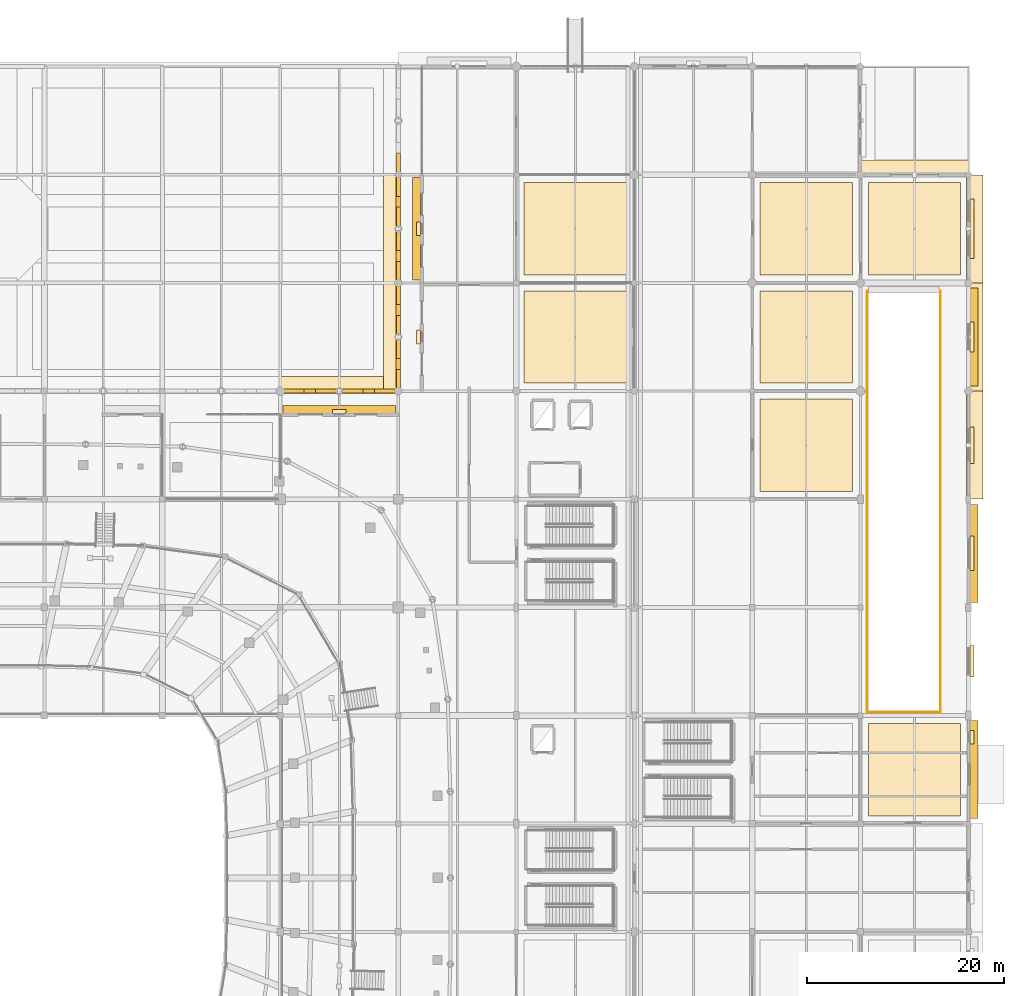
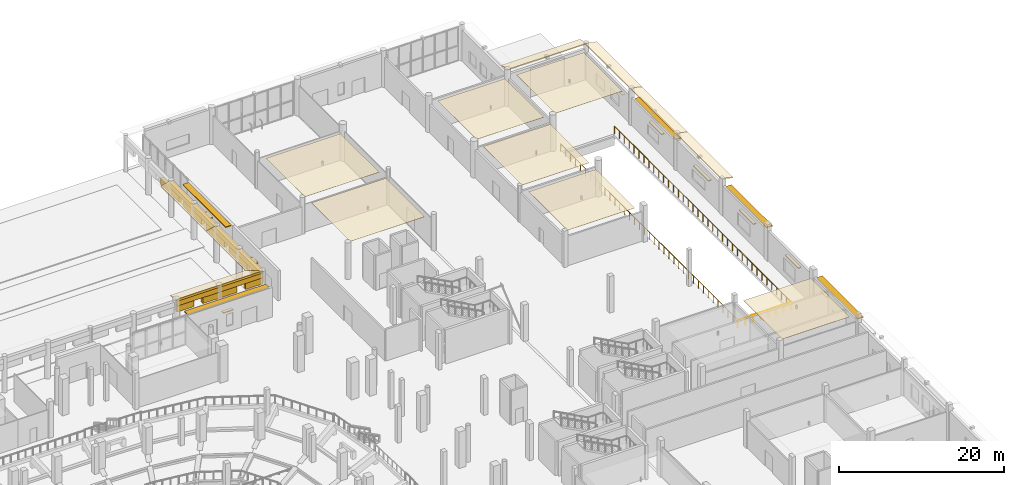
# One storey, part 119 of 120: 42 coverings, 5 shading devices, 3 railings.
"""IFC4 building model written with IfcOpenShell, lengths in metres."""

import ifcopenshell
import ifcopenshell.guid

model = None  # the IFC model being written
_history = None  # IfcOwnerHistory: only IFC2X3 demands one
_inside = {}  # id of a spatial element -> (the spatial element, [elements in it])
_under = {}  # id of a project, library or spatial element -> (it, [spatial elements below it])
_declared = {}  # id of a project -> (the project, [libraries it declares])
_typed = {}  # id of a type object -> (the type object, [elements of that type])
_made_of = {}  # id of a material, layer set ... -> (it, [elements and type objects made of it])


def new_model(schema):
    """Start an empty IFC model of exactly this schema.

    Asked for "IFC4X3", IfcOpenShell would pick the latest addendum, in which some entities
    have other attributes; the version numbers below select the first issue.
    IFC2X3 requires an IfcOwnerHistory on every rooted entity: one is made here for all.
    """
    global model, _history
    if schema == "IFC4X3":
        model = ifcopenshell.file(schema_version=(4, 3, 0, 0))
    else:
        model = ifcopenshell.file(schema=schema)
    _inside.clear()
    _under.clear()
    _declared.clear()
    _typed.clear()
    _made_of.clear()
    _history = None
    if model.schema == "IFC2X3":
        org = make("IfcOrganization", Name="unknown")
        user = make(
            "IfcPersonAndOrganization",
            ThePerson=make("IfcPerson", FamilyName="unknown"),
            TheOrganization=org,
        )
        app = make(
            "IfcApplication",
            ApplicationDeveloper=org,
            Version="unknown",
            ApplicationFullName="unknown",
            ApplicationIdentifier="unknown",
        )
        _history = make(
            "IfcOwnerHistory",
            OwningUser=user,
            OwningApplication=app,
            ChangeAction="ADDED",
            CreationDate=0,
        )
    return model


def make(cls, **values):
    """One entity of the class cls with the attributes given. An attribute that is None is left unset."""
    return model.create_entity(
        cls, **{name: value for name, value in values.items() if value is not None}
    )


def rooted(cls, **values):
    """An entity with a GlobalId (a new one), such as an element, a storey or a relation."""
    return make(cls, GlobalId=ifcopenshell.guid.new(), OwnerHistory=_history, **values)


def si_unit(unit_type, name, prefix=None):
    """IfcSIUnit, for example si_unit("LENGTHUNIT", "METRE", prefix="MILLI")."""
    return make("IfcSIUnit", UnitType=unit_type, Prefix=prefix, Name=name)


def assignment(units):
    """IfcUnitAssignment: the units of a project."""
    return None if units is None else make("IfcUnitAssignment", Units=units)


def point(xyz):
    """IfcCartesianPoint."""
    return None if xyz is None else make("IfcCartesianPoint", Coordinates=xyz)


def direction(xyz):
    """IfcDirection."""
    return None if xyz is None else make("IfcDirection", DirectionRatios=xyz)


def frame(location, z_axis=None, x_axis=None):
    """IfcAxis2Placement3D, a coordinate frame: its origin and axes. An axis left out is left unset."""
    return make(
        "IfcAxis2Placement3D",
        Location=point(location),
        Axis=direction(z_axis),
        RefDirection=direction(x_axis),
    )


def frame_2d(location, x_axis=None):
    """IfcAxis2Placement2D, a coordinate frame in the plane: its origin and x axis."""
    return make(
        "IfcAxis2Placement2D", Location=point(location), RefDirection=direction(x_axis)
    )


def origin():
    """The frame at (0, 0, 0) with its axes left unset."""
    return frame((0.0, 0.0, 0.0))


def origin_2d():
    """The frame at (0, 0) in the plane with its x axis left unset."""
    return frame_2d((0.0, 0.0))


def place(relative_to, where):
    """IfcLocalPlacement: puts the frame where relative to a parent placement (None: the world)."""
    return make(
        "IfcLocalPlacement", PlacementRelTo=relative_to, RelativePlacement=where
    )


def context(
    kind, dimensions, precision=None, world=None, true_north=None, identifier=None
):
    """IfcGeometricRepresentationContext, for example the 3D "Model" context."""
    return make(
        "IfcGeometricRepresentationContext",
        ContextIdentifier=identifier,
        ContextType=kind,
        CoordinateSpaceDimension=dimensions,
        Precision=precision,
        WorldCoordinateSystem=world,
        TrueNorth=true_north,
    )


def subcontext(parent, identifier, kind, view, scale=None):
    """IfcGeometricRepresentationSubContext, for example "Body" below "Model"."""
    return make(
        "IfcGeometricRepresentationSubContext",
        ContextIdentifier=identifier,
        ContextType=kind,
        ParentContext=parent,
        TargetScale=scale,
        TargetView=view,
    )


def project(units=None, contexts=None):
    """IfcProject with its units and contexts."""
    return rooted(
        "IfcProject",
        Name="project",
        RepresentationContexts=contexts,
        UnitsInContext=assignment(units),
    )


def spatial(cls, under=None, at=None, **own):
    """A site, building, storey or space (cls), placed at a placement, below another one or the project."""
    s = rooted(cls, ObjectPlacement=at, **own)
    if under is not None:
        _under.setdefault(under.id(), (under, []))[1].append(s)
    return s


def polyline(points):
    """IfcPolyline through the points."""
    return make("IfcPolyline", Points=[point(p) for p in points])


def profile(cls, at=None, kind="AREA", **sizes):
    """A parametric profile (cls). Its sizes go by their IFC names, for example OverallWidth=200.0."""
    return make(cls, ProfileType=kind, Position=at, **sizes)


def rectangle(**sizes):
    """IfcRectangleProfileDef."""
    return profile("IfcRectangleProfileDef", **sizes)


def circle(**sizes):
    """IfcCircleProfileDef."""
    return profile("IfcCircleProfileDef", **sizes)


def outline(outer, holes=None, kind="AREA"):
    """IfcArbitraryClosedProfileDef: a profile drawn as a closed curve; with holes, ...WithVoids."""
    if holes is None:
        return make("IfcArbitraryClosedProfileDef", ProfileType=kind, OuterCurve=outer)
    return make(
        "IfcArbitraryProfileDefWithVoids",
        ProfileType=kind,
        OuterCurve=outer,
        InnerCurves=holes,
    )


def extrude(swept, where, along, depth):
    """IfcExtrudedAreaSolid: the profile swept, set in the frame where, extruded along a direction by depth."""
    return make(
        "IfcExtrudedAreaSolid",
        SweptArea=swept,
        Position=where,
        ExtrudedDirection=direction(along),
        Depth=depth,
    )


def shape(context_of_items, identifier, shape_type, items):
    """IfcShapeRepresentation: the items that make up one representation, for example the "Body"."""
    return make(
        "IfcShapeRepresentation",
        ContextOfItems=context_of_items,
        RepresentationIdentifier=identifier,
        RepresentationType=shape_type,
        Items=items,
    )


def material(Name=None, Category=None):
    """IfcMaterial."""
    return make("IfcMaterial", Name=Name, Category=Category)


def layer(
    of_material, thickness, ventilated=None, Name=None, Category=None, Priority=None
):
    """IfcMaterialLayer: one layer of a wall or slab, of a material (None: an air gap)."""
    return make(
        "IfcMaterialLayer",
        Material=of_material,
        LayerThickness=thickness,
        IsVentilated=ventilated,
        Name=Name,
        Category=Category,
        Priority=Priority,
    )


def layer_set(layers, Name=None):
    """IfcMaterialLayerSet."""
    return make("IfcMaterialLayerSet", MaterialLayers=layers, LayerSetName=Name)


def made_of(thing, what):
    """Note that an element or type object is made of a material, layer set ...; save() writes the relation."""
    if what is not None:
        _made_of.setdefault(what.id(), (what, []))[1].append(thing)
    return thing


def type_object(cls, material=None, **own):
    """A type object (cls), such as IfcWallType, which elements share."""
    return made_of(rooted(cls, **own), material)


def element(
    cls,
    number,
    at=None,
    inside=None,
    cuts=None,
    type_object=None,
    material=None,
    context=None,
    identifier="Body",
    shape_type=None,
    held_by="IfcProductDefinitionShape",
    body=None,
    shapes=None,
    **own,
):
    """One element of the class cls, such as IfcWall. Its Tag is "e" and its number.

    at: its placement. inside: the storey or other place that contains it. cuts: it is an
    opening in that element (IfcRelVoidsElement). A single representation is given by context,
    identifier, shape_type and body (its items); several are given by shapes. held_by: the class
    of the entity that holds the representations. save() writes the other relations.
    """
    e = rooted(cls, Tag="e%d" % number, ObjectPlacement=at, **own)
    if body is not None:
        shapes = [shape(context, identifier, shape_type, body)]
    if shapes is not None:
        e.Representation = make(held_by, Representations=shapes)
    if inside is not None:
        _inside.setdefault(inside.id(), (inside, []))[1].append(e)
    if cuts is not None:
        rooted(
            "IfcRelVoidsElement", RelatingBuildingElement=cuts, RelatedOpeningElement=e
        )
    if type_object is not None:
        _typed.setdefault(type_object.id(), (type_object, []))[1].append(e)
    return made_of(e, material)


def aggregate(whole, parts):
    """IfcRelAggregates: a whole, such as a stair, and the parts it consists of."""
    return rooted("IfcRelAggregates", RelatingObject=whole, RelatedObjects=parts)


def save(model, path):
    """Write the relations noted so far, then the file.

    IfcRelAggregates (storeys below a building ...), IfcRelContainedInSpatialStructure (elements
    in a storey), IfcRelDefinesByType, IfcRelAssociatesMaterial and IfcRelDeclares: one each for
    every whole, place, type object, material and project.
    """
    for whole, parts in _under.values():
        aggregate(whole, parts)
    for where, things in _inside.values():
        rooted(
            "IfcRelContainedInSpatialStructure",
            RelatedElements=things,
            RelatingStructure=where,
        )
    for kind, things in _typed.values():
        rooted("IfcRelDefinesByType", RelatedObjects=things, RelatingType=kind)
    for what, things in _made_of.values():
        rooted("IfcRelAssociatesMaterial", RelatedObjects=things, RelatingMaterial=what)
    for by, libraries in _declared.values():
        rooted("IfcRelDeclares", RelatingContext=by, RelatedDefinitions=libraries)
    model.write(path)


model = new_model("IFC4")

# Units and contexts
model_context = context("Model", 3, precision=1e-05, world=origin(), true_north=direction((0.0, 1.0)))
body_context = subcontext(model_context, "Body", "Model", "MODEL_VIEW")
ifc_project = project(units=[si_unit("LENGTHUNIT", "METRE"), si_unit("AREAUNIT", "SQUARE_METRE"), si_unit("VOLUMEUNIT", "CUBIC_METRE"), si_unit("PLANEANGLEUNIT", "RADIAN"), si_unit("MASSUNIT", "GRAM", prefix="KILO")], contexts=[model_context])

# Site, building, storey
site_placement = place(None, origin())
site = spatial("IfcSite", under=ifc_project, at=site_placement, CompositionType="ELEMENT")
building_placement = place(site_placement, origin())
building = spatial("IfcBuilding", under=site, at=building_placement, Name="Luwafu Chhajja Arena", CompositionType="ELEMENT")
storey_placement = place(building_placement, origin())
storey = spatial("IfcBuildingStorey", under=building, at=storey_placement, Name="L00", CompositionType="ELEMENT", Elevation=0.0)

# Coverings
ifc_material_1 = material(Name="Red laterite sandstone cladding", Category="masonry")
ifc_layer_1 = layer(ifc_material_1, 0.074951171875, Name="Red laterite sandstone cladding")
ifc_layer_set_1 = layer_set([ifc_layer_1], Name="Red laterite sandstone cladding")
covering_type_1 = type_object("IfcCoveringType", Name="Dressed Red-Laterite Sandstone Cladding", PredefinedType="CLADDING", material=ifc_layer_set_1)
covering_1_placement = place(storey_placement, frame((131.0, 99.0, 4.33984375), z_axis=(0.0, 0.0, 1.0), x_axis=(1.0, 0.0, 0.0)))
element("IfcCovering", 1, at=covering_1_placement, inside=storey, type_object=covering_type_1, Name="L00 Mughal Riwaq Arcade Arch Frieze CHS-27", PredefinedType="CLADDING", context=body_context, shape_type="SweptSolid", body=[
    extrude(rectangle(XDim=6.0, YDim=0.43994140625, at=origin_2d()), origin(), (0.0, 0.0, 1.0), 0.719970703125),
])
for number, where, z_axis, x_axis, name in (
    (2, (129.199951171875, 99.0, 3.43994140625), (0.0, 0.0, 1.0), (1.0, 0.0, 0.0), "L00 Mughal Riwaq Corbelled Arch Haunch CHS-27A"),
    (3, (132.800048828125, 99.0, 3.43994140625), (0.0, 0.0, 1.0), (1.0, 0.0, 0.0), "L00 Mughal Riwaq Corbelled Arch Haunch CHS-27B"),
):
    element("IfcCovering", number, at=place(storey_placement, frame(where, z_axis=z_axis, x_axis=x_axis)), inside=storey, type_object=covering_type_1, Name=name, PredefinedType="CLADDING", context=body_context, shape_type="SweptSolid", body=[
        extrude(rectangle(XDim=2.39990234375, YDim=0.39990234375, at=origin_2d()), origin(), (0.0, 0.0, 1.0), 0.9599609375),
    ])
covering_2_placement = place(storey_placement, frame((137.0, 99.0, 4.33984375), z_axis=(0.0, 0.0, 1.0), x_axis=(1.0, 0.0, 0.0)))
element("IfcCovering", 4, at=covering_2_placement, inside=storey, type_object=covering_type_1, Name="L00 Mughal Riwaq Arcade Arch Frieze CHS-28", PredefinedType="CLADDING", context=body_context, shape_type="SweptSolid", body=[
    extrude(rectangle(XDim=6.0, YDim=0.43994140625, at=origin_2d()), origin(), (0.0, 0.0, 1.0), 0.719970703125),
])
for number, where, z_axis, x_axis, name in (
    (5, (135.199951171875, 99.0, 3.43994140625), (0.0, 0.0, 1.0), (1.0, 0.0, 0.0), "L00 Mughal Riwaq Corbelled Arch Haunch CHS-28A"),
    (6, (138.800048828125, 99.0, 3.43994140625), (0.0, 0.0, 1.0), (1.0, 0.0, 0.0), "L00 Mughal Riwaq Corbelled Arch Haunch CHS-28B"),
):
    element("IfcCovering", number, at=place(storey_placement, frame(where, z_axis=z_axis, x_axis=x_axis)), inside=storey, type_object=covering_type_1, Name=name, PredefinedType="CLADDING", context=body_context, shape_type="SweptSolid", body=[
        extrude(rectangle(XDim=2.39990234375, YDim=0.39990234375, at=origin_2d()), origin(), (0.0, 0.0, 1.0), 0.9599609375),
    ])
covering_3_placement = place(storey_placement, frame((140.0, 101.75, 4.33984375), z_axis=(0.0, 0.0, 1.0), x_axis=(0.0, 1.0, 0.0)))
element("IfcCovering", 7, at=covering_3_placement, inside=storey, type_object=covering_type_1, Name="L00 Mughal Riwaq Arcade Arch Frieze CHE-31", PredefinedType="CLADDING", context=body_context, shape_type="SweptSolid", body=[
    extrude(rectangle(XDim=5.5, YDim=0.43994140625, at=origin_2d()), origin(), (0.0, 0.0, 1.0), 0.719970703125),
])
for number, where, z_axis, x_axis, name in (
    (8, (140.0, 100.10009765625, 3.43994140625), (0.0, 0.0, 1.0), (0.0, 1.0, 0.0), "L00 Mughal Riwaq Corbelled Arch Haunch CHE-31A"),
    (9, (140.0, 103.39990234375, 3.43994140625), (0.0, 0.0, 1.0), (0.0, 1.0, 0.0), "L00 Mughal Riwaq Corbelled Arch Haunch CHE-31B"),
):
    element("IfcCovering", number, at=place(storey_placement, frame(where, z_axis=z_axis, x_axis=x_axis)), inside=storey, type_object=covering_type_1, Name=name, PredefinedType="CLADDING", context=body_context, shape_type="SweptSolid", body=[
        extrude(rectangle(XDim=2.199951171875, YDim=0.39990234375, at=origin_2d()), origin(), (0.0, 0.0, 1.0), 0.9599609375),
    ])
covering_4_placement = place(storey_placement, frame((140.0, 107.25, 4.33984375), z_axis=(0.0, 0.0, 1.0), x_axis=(0.0, 1.0, 0.0)))
element("IfcCovering", 10, at=covering_4_placement, inside=storey, type_object=covering_type_1, Name="L00 Mughal Riwaq Arcade Arch Frieze CHE-32", PredefinedType="CLADDING", context=body_context, shape_type="SweptSolid", body=[
    extrude(rectangle(XDim=5.5, YDim=0.43994140625, at=origin_2d()), origin(), (0.0, 0.0, 1.0), 0.719970703125),
])
for number, where, z_axis, x_axis, name in (
    (11, (140.0, 105.60009765625, 3.43994140625), (0.0, 0.0, 1.0), (0.0, 1.0, 0.0), "L00 Mughal Riwaq Corbelled Arch Haunch CHE-32A"),
    (12, (140.0, 108.89990234375, 3.43994140625), (0.0, 0.0, 1.0), (0.0, 1.0, 0.0), "L00 Mughal Riwaq Corbelled Arch Haunch CHE-32B"),
):
    element("IfcCovering", number, at=place(storey_placement, frame(where, z_axis=z_axis, x_axis=x_axis)), inside=storey, type_object=covering_type_1, Name=name, PredefinedType="CLADDING", context=body_context, shape_type="SweptSolid", body=[
        extrude(rectangle(XDim=2.199951171875, YDim=0.39990234375, at=origin_2d()), origin(), (0.0, 0.0, 1.0), 0.9599609375),
    ])
covering_5_placement = place(storey_placement, frame((140.0, 112.75, 4.33984375), z_axis=(0.0, 0.0, 1.0), x_axis=(0.0, 1.0, 0.0)))
element("IfcCovering", 13, at=covering_5_placement, inside=storey, type_object=covering_type_1, Name="L00 Mughal Riwaq Arcade Arch Frieze CHE-35", PredefinedType="CLADDING", context=body_context, shape_type="SweptSolid", body=[
    extrude(rectangle(XDim=5.5, YDim=0.43994140625, at=origin_2d()), origin(), (0.0, 0.0, 1.0), 0.719970703125),
])
for number, where, z_axis, x_axis, name in (
    (14, (140.0, 111.10009765625, 3.43994140625), (0.0, 0.0, 1.0), (0.0, 1.0, 0.0), "L00 Mughal Riwaq Corbelled Arch Haunch CHE-35A"),
    (15, (140.0, 114.39990234375, 3.43994140625), (0.0, 0.0, 1.0), (0.0, 1.0, 0.0), "L00 Mughal Riwaq Corbelled Arch Haunch CHE-35B"),
):
    element("IfcCovering", number, at=place(storey_placement, frame(where, z_axis=z_axis, x_axis=x_axis)), inside=storey, type_object=covering_type_1, Name=name, PredefinedType="CLADDING", context=body_context, shape_type="SweptSolid", body=[
        extrude(rectangle(XDim=2.199951171875, YDim=0.39990234375, at=origin_2d()), origin(), (0.0, 0.0, 1.0), 0.9599609375),
    ])
covering_6_placement = place(storey_placement, frame((140.0, 118.25, 4.33984375), z_axis=(0.0, 0.0, 1.0), x_axis=(0.0, 1.0, 0.0)))
element("IfcCovering", 16, at=covering_6_placement, inside=storey, type_object=covering_type_1, Name="L00 Mughal Riwaq Arcade Arch Frieze CHE-36", PredefinedType="CLADDING", context=body_context, shape_type="SweptSolid", body=[
    extrude(rectangle(XDim=5.5, YDim=0.43994140625, at=origin_2d()), origin(), (0.0, 0.0, 1.0), 0.719970703125),
])
for number, where, z_axis, x_axis, name in (
    (17, (140.0, 116.60009765625, 3.43994140625), (0.0, 0.0, 1.0), (0.0, 1.0, 0.0), "L00 Mughal Riwaq Corbelled Arch Haunch CHE-36A"),
    (18, (140.0, 119.89990234375, 3.43994140625), (0.0, 0.0, 1.0), (0.0, 1.0, 0.0), "L00 Mughal Riwaq Corbelled Arch Haunch CHE-36B"),
    (19, (140.0, 122.10009765625, 3.43994140625), (0.0, 0.0, 1.0), (0.0, 1.0, 0.0), "L00 Mughal Riwaq Corbelled Arch Haunch CHE-39A"),
):
    element("IfcCovering", number, at=place(storey_placement, frame(where, z_axis=z_axis, x_axis=x_axis)), inside=storey, type_object=covering_type_1, Name=name, PredefinedType="CLADDING", context=body_context, shape_type="SweptSolid", body=[
        extrude(rectangle(XDim=2.199951171875, YDim=0.39990234375, at=origin_2d()), origin(), (0.0, 0.0, 1.0), 0.9599609375),
    ])
covering_7_placement = place(storey_placement, frame((128.0, 98.800048828125, 5.360107421875), z_axis=(0.0, 0.242635142566, 0.970117615339), x_axis=(1.0, 0.0, 0.0)))
element("IfcCovering", 20, at=covering_7_placement, inside=storey, type_object=covering_type_1, Name="L00 Continuous Sloped Sandstone Chhajja Eave 0033", PredefinedType="CLADDING", context=body_context, shape_type="SweptSolid", body=[
    extrude(outline(polyline([(0.0, 0.0), (12.0, 0.0), (12.0, 1.7316783182390405), (0.0, 1.7316783182390405), (0.0, 0.0)])), origin(), (0.0, 0.0, -1.0), 0.1298828125),
])
for number, where, z_axis, x_axis, name in (
    (21, (140.199951171875, 99.0, 5.360107421875), (-0.242635142566, 0.0, 0.970117615339), (0.0, 1.0, 0.0), "L00 Continuous Sloped Sandstone Chhajja Eave 0036"),
    (22, (140.199951171875, 110.0, 5.360107421875), (-0.242635142566, 0.0, 0.970117615339), (0.0, 1.0, 0.0), "L00 Continuous Sloped Sandstone Chhajja Eave 0037"),
):
    element("IfcCovering", number, at=place(storey_placement, frame(where, z_axis=z_axis, x_axis=x_axis)), inside=storey, type_object=covering_type_1, Name=name, PredefinedType="CLADDING", context=body_context, shape_type="SweptSolid", body=[
        extrude(outline(polyline([(0.0, 0.0), (11.0, 0.0), (11.0, 1.7316783182390405), (0.0, 1.7316783182390405), (0.0, 0.0)])), origin(), (0.0, 0.0, -1.0), 0.1298828125),
    ])
for number, where, z_axis, x_axis, name in (
    (23, (197.800048828125, 88.0, 5.360107421875), (0.242635142566, 0.0, 0.970117615339), (0.0, 1.0, 0.0), "L00 Continuous Sloped Sandstone Chhajja Eave 0053"),
    (24, (197.800048828125, 99.0, 5.360107421875), (0.242635142566, 0.0, 0.970117615339), (0.0, 1.0, 0.0), "L00 Continuous Sloped Sandstone Chhajja Eave 0054"),
):
    element("IfcCovering", number, at=place(storey_placement, frame(where, z_axis=z_axis, x_axis=x_axis)), inside=storey, type_object=covering_type_1, Name=name, PredefinedType="CLADDING", context=body_context, shape_type="SweptSolid", body=[
        extrude(outline(polyline([(0.0, 0.0), (11.0, 0.0), (11.0, -1.7316783182390405), (0.0, -1.7316783182390405), (0.0, 0.0)])), origin(), (0.0, 0.0, -1.0), 0.1298828125),
    ])
covering_8_placement = place(storey_placement, frame((187.0, 120.800048828125, 5.360107421875), z_axis=(0.0, 0.242635142566, 0.970117615339), x_axis=(1.0, 0.0, 0.0)))
element("IfcCovering", 25, at=covering_8_placement, inside=storey, type_object=covering_type_1, Name="L00 Continuous Sloped Sandstone Chhajja Eave 0055", PredefinedType="CLADDING", context=body_context, shape_type="SweptSolid", body=[
    extrude(outline(polyline([(0.0, 0.0), (11.0, 0.0), (11.0, 1.7316783182390405), (0.0, 1.7316783182390405), (0.0, 0.0)])), origin(), (0.0, 0.0, -1.0), 0.1298828125),
])
covering_9_placement = place(storey_placement, frame((197.800048828125, 110.0, 5.360107421875), z_axis=(0.242635142566, 0.0, 0.970117615339), x_axis=(0.0, 1.0, 0.0)))
element("IfcCovering", 26, at=covering_9_placement, inside=storey, type_object=covering_type_1, Name="L00 Continuous Sloped Sandstone Chhajja Eave 0056", PredefinedType="CLADDING", context=body_context, shape_type="SweptSolid", body=[
    extrude(outline(polyline([(0.0, 0.0), (11.0, 0.0), (11.0, -1.7316783182390405), (0.0, -1.7316783182390405), (0.0, 0.0)])), origin(), (0.0, 0.0, -1.0), 0.1298828125),
])
for number, where, z_axis, x_axis, name in (
    (27, (134.0, 96.93994140625, 2.6298828125), (0.0, 0.0, 1.0), (1.0, 0.0, 0.0), "L00 Mughal Sandstone Window Chhajja Hood 0162"),
    (28, (142.06005859375, 104.5, 2.6298828125), (0.0, 0.0, 1.0), (0.0, 1.0, 0.0), "L00 Mughal Sandstone Window Chhajja Hood 0164"),
    (29, (142.06005859375, 115.5, 2.6298828125), (0.0, 0.0, 1.0), (0.0, 1.0, 0.0), "L00 Mughal Sandstone Window Chhajja Hood 0165"),
    (30, (198.340087890625, 63.798095703125, 2.6298828125), (0.0, 0.0, 1.0), (0.0, 1.0, 0.0), "L00 Mughal Sandstone Window Chhajja Hood 0178"),
):
    element("IfcCovering", number, at=place(storey_placement, frame(where, z_axis=z_axis, x_axis=x_axis)), inside=storey, type_object=covering_type_1, Name=name, PredefinedType="CLADDING", context=body_context, shape_type="SweptSolid", body=[
        extrude(rectangle(XDim=1.39990234375, YDim=0.419921875, at=origin_2d()), origin(), (0.0, 0.0, 1.0), 0.139892578125),
    ])
covering_10_placement = place(storey_placement, frame((198.340087890625, 71.5, 2.830078125), z_axis=(0.0, 0.0, 1.0), x_axis=(0.0, 1.0, 0.0)))
element("IfcCovering", 31, at=covering_10_placement, inside=storey, type_object=covering_type_1, Name="L00 Mughal Sandstone Window Chhajja Hood 0179", PredefinedType="CLADDING", context=body_context, shape_type="SweptSolid", body=[
    extrude(rectangle(XDim=3.199951171875, YDim=0.419921875, at=origin_2d()), origin(), (0.0, 0.0, 1.0), 0.139892578125),
])
covering_11_placement = place(storey_placement, frame((198.340087890625, 82.5, 2.72998046875), z_axis=(0.0, 0.0, 1.0), x_axis=(0.0, 1.0, 0.0)))
element("IfcCovering", 32, at=covering_11_placement, inside=storey, type_object=covering_type_1, Name="L00 Mughal Sandstone Window Chhajja Hood 0180", PredefinedType="CLADDING", context=body_context, shape_type="SweptSolid", body=[
    extrude(rectangle(XDim=3.5, YDim=0.419921875, at=origin_2d()), origin(), (0.0, 0.0, 1.0), 0.139892578125),
])
covering_12_placement = place(storey_placement, frame((198.340087890625, 93.5, 2.5302734375), z_axis=(0.0, 0.0, 1.0), x_axis=(0.0, 1.0, 0.0)))
element("IfcCovering", 33, at=covering_12_placement, inside=storey, type_object=covering_type_1, Name="L00 Mughal Sandstone Window Chhajja Hood 0181", PredefinedType="CLADDING", context=body_context, shape_type="SweptSolid", body=[
    extrude(rectangle(XDim=3.699951171875, YDim=0.419921875, at=origin_2d()), origin(), (0.0, 0.0, 1.0), 0.139892578125),
])
covering_13_placement = place(storey_placement, frame((198.340087890625, 104.5, 2.5302734375), z_axis=(0.0, 0.0, 1.0), x_axis=(0.0, 1.0, 0.0)))
element("IfcCovering", 34, at=covering_13_placement, inside=storey, type_object=covering_type_1, Name="L00 Mughal Sandstone Window Chhajja Hood 0182", PredefinedType="CLADDING", context=body_context, shape_type="SweptSolid", body=[
    extrude(rectangle(XDim=3.10009765625, YDim=0.419921875, at=origin_2d()), origin(), (0.0, 0.0, 1.0), 0.139892578125),
])
covering_14_placement = place(storey_placement, frame((198.340087890625, 115.5, 2.580078125), z_axis=(0.0, 0.0, 1.0), x_axis=(0.0, 1.0, 0.0)))
element("IfcCovering", 35, at=covering_14_placement, inside=storey, type_object=covering_type_1, Name="L00 Mughal Sandstone Window Chhajja Hood 0183", PredefinedType="CLADDING", context=body_context, shape_type="SweptSolid", body=[
    extrude(rectangle(XDim=6.02001953125, YDim=0.419921875, at=origin_2d()), origin(), (0.0, 0.0, 1.0), 0.139892578125),
])
ifc_material_2 = material(Name="Acoustic gypsum ceiling board")
ifc_layer_2 = layer(ifc_material_2, 0.0400390625, Name="Acoustic gypsum ceiling board")
ifc_layer_set_2 = layer_set([ifc_layer_2], Name="Acoustic gypsum ceiling board")
covering_type_2 = type_object("IfcCoveringType", Name="Perforated Acoustic Baffle Ceiling", PredefinedType="CEILING", material=ifc_layer_set_2)
covering_15_placement = place(storey_placement, frame((0.0, 0.0, 4.581298828125)))
element("IfcCovering", 36, at=covering_15_placement, inside=storey, type_object=covering_type_2, Name="L00 Acoustic Baffle Ceiling 015", PredefinedType="CEILING", context=body_context, shape_type="SweptSolid", body=[
    extrude(outline(polyline([(152.800048828125, 99.800048828125), (163.199951171875, 99.800048828125), (163.199951171875, 109.199951171875), (152.800048828125, 109.199951171875), (152.800048828125, 99.800048828125)])), origin(), (0.0, 0.0, 1.0), 0.0400390625),
])
covering_16_placement = place(storey_placement, frame((0.0, 0.0, 4.499267578125)))
element("IfcCovering", 37, at=covering_16_placement, inside=storey, type_object=covering_type_2, Name="L00 Acoustic Baffle Ceiling 016", PredefinedType="CEILING", context=body_context, shape_type="SweptSolid", body=[
    extrude(outline(polyline([(152.800048828125, 110.800048828125), (163.199951171875, 110.800048828125), (163.199951171875, 120.199951171875), (152.800048828125, 120.199951171875), (152.800048828125, 110.800048828125)])), origin(), (0.0, 0.0, 1.0), 0.0400390625),
])
covering_17_placement = place(storey_placement, frame((0.0, 0.0, 4.499267578125)))
element("IfcCovering", 38, at=covering_17_placement, inside=storey, type_object=covering_type_2, Name="L00 Acoustic Baffle Ceiling 020", PredefinedType="CEILING", context=body_context, shape_type="SweptSolid", body=[
    extrude(outline(polyline([(176.800048828125, 88.800048828125), (186.199951171875, 88.800048828125), (186.199951171875, 98.199951171875), (176.800048828125, 98.199951171875), (176.800048828125, 88.800048828125)])), origin(), (0.0, 0.0, 1.0), 0.0400390625),
])
covering_18_placement = place(storey_placement, frame((0.0, 0.0, 4.5029296875)))
element("IfcCovering", 39, at=covering_18_placement, inside=storey, type_object=covering_type_2, Name="L00 Acoustic Baffle Ceiling 021", PredefinedType="CEILING", context=body_context, shape_type="SweptSolid", body=[
    extrude(outline(polyline([(176.800048828125, 99.800048828125), (186.199951171875, 99.800048828125), (186.199951171875, 109.199951171875), (176.800048828125, 109.199951171875), (176.800048828125, 99.800048828125)])), origin(), (0.0, 0.0, 1.0), 0.0400390625),
])
covering_19_placement = place(storey_placement, frame((0.0, 0.0, 4.575927734375)))
element("IfcCovering", 40, at=covering_19_placement, inside=storey, type_object=covering_type_2, Name="L00 Acoustic Baffle Ceiling 022", PredefinedType="CEILING", context=body_context, shape_type="SweptSolid", body=[
    extrude(outline(polyline([(176.800048828125, 110.800048828125), (186.199951171875, 110.800048828125), (186.199951171875, 120.199951171875), (176.800048828125, 120.199951171875), (176.800048828125, 110.800048828125)])), origin(), (0.0, 0.0, 1.0), 0.0400390625),
])
covering_20_placement = place(storey_placement, frame((0.0, 0.0, 4.575927734375)))
element("IfcCovering", 41, at=covering_20_placement, inside=storey, type_object=covering_type_2, Name="L00 Acoustic Baffle Ceiling 024", PredefinedType="CEILING", context=body_context, shape_type="SweptSolid", body=[
    extrude(outline(polyline([(187.800048828125, 55.800048828125), (197.199951171875, 55.800048828125), (197.199951171875, 65.199951171875), (187.800048828125, 65.199951171875), (187.800048828125, 55.800048828125)])), origin(), (0.0, 0.0, 1.0), 0.0400390625),
])
covering_21_placement = place(storey_placement, frame((0.0, 0.0, 4.581298828125)))
element("IfcCovering", 42, at=covering_21_placement, inside=storey, type_object=covering_type_2, Name="L00 Acoustic Baffle Ceiling 025", PredefinedType="CEILING", context=body_context, shape_type="SweptSolid", body=[
    extrude(outline(polyline([(187.800048828125, 110.800048828125), (197.199951171875, 110.800048828125), (197.199951171875, 120.199951171875), (187.800048828125, 120.199951171875), (187.800048828125, 110.800048828125)])), origin(), (0.0, 0.0, 1.0), 0.0400390625),
])

# Shading devices
ifc_material_3 = material(Name="Red laterite sandstone chhajja", Category="masonry")
ifc_layer_3 = layer(ifc_material_3, 0.1201171875, Name="Red laterite sandstone chhajja")
ifc_layer_set_3 = layer_set([ifc_layer_3], Name="Red laterite sandstone chhajja")
shading_device_type = type_object("IfcShadingDeviceType", Name="Sloped Red-Sandstone Chhajja Eave", PredefinedType="USERDEFINED", material=ifc_layer_set_3)
shading_device_1_placement = place(storey_placement, frame((134.0, 97.139892578125, 4.146484375), z_axis=(0.0, 0.0, 1.0), x_axis=(1.0, 0.0, 0.0)))
element("IfcShadingDevice", 43, at=shading_device_1_placement, inside=storey, type_object=shading_device_type, Name="L00 Sloped Red-Sandstone Chhajja Eave 018", ObjectType="CHHAJJA", PredefinedType="USERDEFINED", context=body_context, shape_type="SweptSolid", body=[
    extrude(rectangle(XDim=11.39990234375, YDim=0.820068359375, at=origin_2d()), origin(), (0.0, 0.0, 1.0), 0.1201171875),
])
shading_device_2_placement = place(storey_placement, frame((141.860107421875, 115.5, 4.22998046875), z_axis=(0.0, 0.0, 1.0), x_axis=(0.0, 1.0, 0.0)))
element("IfcShadingDevice", 44, at=shading_device_2_placement, inside=storey, type_object=shading_device_type, Name="L00 Sloped Red-Sandstone Chhajja Eave 021", ObjectType="CHHAJJA", PredefinedType="USERDEFINED", context=body_context, shape_type="SweptSolid", body=[
    extrude(rectangle(XDim=10.39990234375, YDim=0.820068359375, at=origin_2d()), origin(), (0.0, 0.0, 1.0), 0.1201171875),
])
shading_device_3_placement = place(storey_placement, frame((198.5400390625, 60.4951171875, 4.079833984375), z_axis=(0.0, 0.0, 1.0), x_axis=(0.0, 1.0, 0.0)))
element("IfcShadingDevice", 45, at=shading_device_3_placement, inside=storey, type_object=shading_device_type, Name="L00 Sloped Red-Sandstone Chhajja Eave 028", ObjectType="CHHAJJA", PredefinedType="USERDEFINED", context=body_context, shape_type="SweptSolid", body=[
    extrude(rectangle(XDim=9.969970703125, YDim=0.820068359375, at=origin_2d()), origin(), (0.0, 0.0, 1.0), 0.1201171875),
])
for number, where, z_axis, x_axis, name in (
    (46, (198.5400390625, 82.5, 4.209716796875), (0.0, 0.0, 1.0), (0.0, 1.0, 0.0), "L00 Sloped Red-Sandstone Chhajja Eave 029"),
    (47, (198.5400390625, 104.5, 3.8798828125), (0.0, 0.0, 1.0), (0.0, 1.0, 0.0), "L00 Sloped Red-Sandstone Chhajja Eave 030"),
):
    element("IfcShadingDevice", number, at=place(storey_placement, frame(where, z_axis=z_axis, x_axis=x_axis)), inside=storey, type_object=shading_device_type, Name=name, ObjectType="CHHAJJA", PredefinedType="USERDEFINED", context=body_context, shape_type="SweptSolid", body=[
        extrude(rectangle(XDim=9.9599609375, YDim=0.820068359375, at=origin_2d()), origin(), (0.0, 0.0, 1.0), 0.1201171875),
    ])

# Railings
ifc_material_4 = material(Name="Stainless steel balustrade", Category="steel")
railing_type = type_object("IfcRailingType", Name="Stair and Terrace Guard Balustrade 1100", PredefinedType="BALUSTRADE", material=ifc_material_4)
railing_1_placement = place(storey_placement, frame((195.14990234375, 109.199951171875, 0.0)))
element("IfcRailing", 48, at=railing_1_placement, inside=storey, type_object=railing_type, Name="L00 Ramp Well Guard 0017", PredefinedType="BALUSTRADE", context=body_context, shape_type="SweptSolid", body=[
    extrude(circle(Radius=0.02392578125, at=origin_2d()), frame((0.0, 0.0, 1.09619140625), z_axis=(0.0, -1.0, 0.0), x_axis=(1.0, 0.0, 0.0)), (0.0, 0.0, 1.0), 42.849853515625),
    extrude(circle(Radius=0.02099609375, at=origin_2d()), origin(), (0.0, 0.0, 1.0), 1.072021484375),
    extrude(circle(Radius=0.02099609375, at=origin_2d()), frame((0.0, -1.190185546875, 0.0)), (0.0, 0.0, 1.0), 1.072021484375),
    extrude(circle(Radius=0.02099609375, at=origin_2d()), frame((0.0, -2.380615234375, 0.0)), (0.0, 0.0, 1.0), 1.072021484375),
    extrude(circle(Radius=0.02099609375, at=origin_2d()), frame((0.0, -3.57080078125, 0.0)), (0.0, 0.0, 1.0), 1.072021484375),
    extrude(circle(Radius=0.02099609375, at=origin_2d()), frame((0.0, -4.760986328125, 0.0)), (0.0, 0.0, 1.0), 1.072021484375),
    extrude(circle(Radius=0.02099609375, at=origin_2d()), frame((0.0, -5.951416015625, 0.0)), (0.0, 0.0, 1.0), 1.072021484375),
    extrude(circle(Radius=0.02099609375, at=origin_2d()), frame((0.0, -7.1416015625, 0.0)), (0.0, 0.0, 1.0), 1.072021484375),
    extrude(circle(Radius=0.02099609375, at=origin_2d()), frame((0.0, -8.33203125, 0.0)), (0.0, 0.0, 1.0), 1.072021484375),
    extrude(circle(Radius=0.02099609375, at=origin_2d()), frame((0.0, -9.522216796875, 0.0)), (0.0, 0.0, 1.0), 1.072021484375),
    extrude(circle(Radius=0.02099609375, at=origin_2d()), frame((0.0, -10.71240234375, 0.0)), (0.0, 0.0, 1.0), 1.072021484375),
    extrude(circle(Radius=0.02099609375, at=origin_2d()), frame((0.0, -11.90283203125, 0.0)), (0.0, 0.0, 1.0), 1.072021484375),
    extrude(circle(Radius=0.02099609375, at=origin_2d()), frame((0.0, -13.093017578125, 0.0)), (0.0, 0.0, 1.0), 1.072021484375),
    extrude(circle(Radius=0.02099609375, at=origin_2d()), frame((0.0, -14.283203125, 0.0)), (0.0, 0.0, 1.0), 1.072021484375),
    extrude(circle(Radius=0.02099609375, at=origin_2d()), frame((0.0, -15.4736328125, 0.0)), (0.0, 0.0, 1.0), 1.072021484375),
    extrude(circle(Radius=0.02099609375, at=origin_2d()), frame((0.0, -16.663818359375, 0.0)), (0.0, 0.0, 1.0), 1.072021484375),
    extrude(circle(Radius=0.02099609375, at=origin_2d()), frame((0.0, -17.85400390625, 0.0)), (0.0, 0.0, 1.0), 1.072021484375),
    extrude(circle(Radius=0.02099609375, at=origin_2d()), frame((0.0, -19.04443359375, 0.0)), (0.0, 0.0, 1.0), 1.072021484375),
    extrude(circle(Radius=0.02099609375, at=origin_2d()), frame((0.0, -20.234619140625, 0.0)), (0.0, 0.0, 1.0), 1.072021484375),
    extrude(circle(Radius=0.02099609375, at=origin_2d()), frame((0.0, -21.4248046875, 0.0)), (0.0, 0.0, 1.0), 1.072021484375),
    extrude(circle(Radius=0.02099609375, at=origin_2d()), frame((0.0, -22.615234375, 0.0)), (0.0, 0.0, 1.0), 1.072021484375),
    extrude(circle(Radius=0.02099609375, at=origin_2d()), frame((0.0, -23.805419921875, 0.0)), (0.0, 0.0, 1.0), 1.072021484375),
    extrude(circle(Radius=0.02099609375, at=origin_2d()), frame((0.0, -24.995849609375, 0.0)), (0.0, 0.0, 1.0), 1.072021484375),
    extrude(circle(Radius=0.02099609375, at=origin_2d()), frame((0.0, -26.18603515625, 0.0)), (0.0, 0.0, 1.0), 1.072021484375),
    extrude(circle(Radius=0.02099609375, at=origin_2d()), frame((0.0, -27.376220703125, 0.0)), (0.0, 0.0, 1.0), 1.072021484375),
    extrude(circle(Radius=0.02099609375, at=origin_2d()), frame((0.0, -28.566650390625, 0.0)), (0.0, 0.0, 1.0), 1.072021484375),
    extrude(circle(Radius=0.02099609375, at=origin_2d()), frame((0.0, -29.7568359375, 0.0)), (0.0, 0.0, 1.0), 1.072021484375),
    extrude(circle(Radius=0.02099609375, at=origin_2d()), frame((0.0, -30.947021484375, 0.0)), (0.0, 0.0, 1.0), 1.072021484375),
    extrude(circle(Radius=0.02099609375, at=origin_2d()), frame((0.0, -32.137451171875, 0.0)), (0.0, 0.0, 1.0), 1.072021484375),
    extrude(circle(Radius=0.02099609375, at=origin_2d()), frame((0.0, -33.32763671875, 0.0)), (0.0, 0.0, 1.0), 1.072021484375),
    extrude(circle(Radius=0.02099609375, at=origin_2d()), frame((0.0, -34.517822265625, 0.0)), (0.0, 0.0, 1.0), 1.072021484375),
    extrude(circle(Radius=0.02099609375, at=origin_2d()), frame((0.0, -35.708251953125, 0.0)), (0.0, 0.0, 1.0), 1.072021484375),
    extrude(circle(Radius=0.02099609375, at=origin_2d()), frame((0.0, -36.8984375, 0.0)), (0.0, 0.0, 1.0), 1.072021484375),
    extrude(circle(Radius=0.02099609375, at=origin_2d()), frame((0.0, -38.0888671875, 0.0)), (0.0, 0.0, 1.0), 1.072021484375),
    extrude(circle(Radius=0.02099609375, at=origin_2d()), frame((0.0, -39.279052734375, 0.0)), (0.0, 0.0, 1.0), 1.072021484375),
    extrude(circle(Radius=0.02099609375, at=origin_2d()), frame((0.0, -40.46923828125, 0.0)), (0.0, 0.0, 1.0), 1.072021484375),
    extrude(circle(Radius=0.02099609375, at=origin_2d()), frame((0.0, -41.65966796875, 0.0)), (0.0, 0.0, 1.0), 1.072021484375),
    extrude(circle(Radius=0.02099609375, at=origin_2d()), frame((0.0, -42.849853515625, 0.0)), (0.0, 0.0, 1.0), 1.072021484375),
])
railing_2_placement = place(storey_placement, frame((195.14990234375, 66.35009765625, 0.0)))
element("IfcRailing", 49, at=railing_2_placement, inside=storey, type_object=railing_type, Name="L00 Ramp Well Guard 0018", PredefinedType="BALUSTRADE", context=body_context, shape_type="SweptSolid", body=[
    extrude(circle(Radius=0.02392578125, at=origin_2d()), frame((0.0, 0.0, 1.09619140625), z_axis=(-1.0, 0.0, 0.0), x_axis=(0.0, -1.0, 0.0)), (0.0, 0.0, 1.0), 7.5),
    extrude(circle(Radius=0.02099609375, at=origin_2d()), origin(), (0.0, 0.0, 1.0), 1.072021484375),
    extrude(circle(Radius=0.02099609375, at=origin_2d()), frame((-1.071533203125, 0.0, 0.0)), (0.0, 0.0, 1.0), 1.072021484375),
    extrude(circle(Radius=0.02099609375, at=origin_2d()), frame((-2.142822265625, 0.0, 0.0)), (0.0, 0.0, 1.0), 1.072021484375),
    extrude(circle(Radius=0.02099609375, at=origin_2d()), frame((-3.21435546875, 0.0, 0.0)), (0.0, 0.0, 1.0), 1.072021484375),
    extrude(circle(Radius=0.02099609375, at=origin_2d()), frame((-4.28564453125, 0.0, 0.0)), (0.0, 0.0, 1.0), 1.072021484375),
    extrude(circle(Radius=0.02099609375, at=origin_2d()), frame((-5.357177734375, 0.0, 0.0)), (0.0, 0.0, 1.0), 1.072021484375),
    extrude(circle(Radius=0.02099609375, at=origin_2d()), frame((-6.428466796875, 0.0, 0.0)), (0.0, 0.0, 1.0), 1.072021484375),
    extrude(circle(Radius=0.02099609375, at=origin_2d()), frame((-7.5, 0.0, 0.0)), (0.0, 0.0, 1.0), 1.072021484375),
])
railing_3_placement = place(storey_placement, frame((187.64990234375, 66.35009765625, 0.0)))
element("IfcRailing", 50, at=railing_3_placement, inside=storey, type_object=railing_type, Name="L00 Ramp Well Guard 0019", PredefinedType="BALUSTRADE", context=body_context, shape_type="SweptSolid", body=[
    extrude(circle(Radius=0.02392578125, at=origin_2d()), frame((0.0, 0.0, 1.09619140625), z_axis=(0.0, 1.0, 0.0), x_axis=(-1.0, 0.0, 0.0)), (0.0, 0.0, 1.0), 42.849853515625),
    extrude(circle(Radius=0.02099609375, at=origin_2d()), origin(), (0.0, 0.0, 1.0), 1.072021484375),
    extrude(circle(Radius=0.02099609375, at=origin_2d()), frame((0.0, 1.190185546875, 0.0)), (0.0, 0.0, 1.0), 1.072021484375),
    extrude(circle(Radius=0.02099609375, at=origin_2d()), frame((0.0, 2.380615234375, 0.0)), (0.0, 0.0, 1.0), 1.072021484375),
    extrude(circle(Radius=0.02099609375, at=origin_2d()), frame((0.0, 3.57080078125, 0.0)), (0.0, 0.0, 1.0), 1.072021484375),
    extrude(circle(Radius=0.02099609375, at=origin_2d()), frame((0.0, 4.760986328125, 0.0)), (0.0, 0.0, 1.0), 1.072021484375),
    extrude(circle(Radius=0.02099609375, at=origin_2d()), frame((0.0, 5.951416015625, 0.0)), (0.0, 0.0, 1.0), 1.072021484375),
    extrude(circle(Radius=0.02099609375, at=origin_2d()), frame((0.0, 7.1416015625, 0.0)), (0.0, 0.0, 1.0), 1.072021484375),
    extrude(circle(Radius=0.02099609375, at=origin_2d()), frame((0.0, 8.33203125, 0.0)), (0.0, 0.0, 1.0), 1.072021484375),
    extrude(circle(Radius=0.02099609375, at=origin_2d()), frame((0.0, 9.522216796875, 0.0)), (0.0, 0.0, 1.0), 1.072021484375),
    extrude(circle(Radius=0.02099609375, at=origin_2d()), frame((0.0, 10.71240234375, 0.0)), (0.0, 0.0, 1.0), 1.072021484375),
    extrude(circle(Radius=0.02099609375, at=origin_2d()), frame((0.0, 11.90283203125, 0.0)), (0.0, 0.0, 1.0), 1.072021484375),
    extrude(circle(Radius=0.02099609375, at=origin_2d()), frame((0.0, 13.093017578125, 0.0)), (0.0, 0.0, 1.0), 1.072021484375),
    extrude(circle(Radius=0.02099609375, at=origin_2d()), frame((0.0, 14.283203125, 0.0)), (0.0, 0.0, 1.0), 1.072021484375),
    extrude(circle(Radius=0.02099609375, at=origin_2d()), frame((0.0, 15.4736328125, 0.0)), (0.0, 0.0, 1.0), 1.072021484375),
    extrude(circle(Radius=0.02099609375, at=origin_2d()), frame((0.0, 16.663818359375, 0.0)), (0.0, 0.0, 1.0), 1.072021484375),
    extrude(circle(Radius=0.02099609375, at=origin_2d()), frame((0.0, 17.85400390625, 0.0)), (0.0, 0.0, 1.0), 1.072021484375),
    extrude(circle(Radius=0.02099609375, at=origin_2d()), frame((0.0, 19.04443359375, 0.0)), (0.0, 0.0, 1.0), 1.072021484375),
    extrude(circle(Radius=0.02099609375, at=origin_2d()), frame((0.0, 20.234619140625, 0.0)), (0.0, 0.0, 1.0), 1.072021484375),
    extrude(circle(Radius=0.02099609375, at=origin_2d()), frame((0.0, 21.4248046875, 0.0)), (0.0, 0.0, 1.0), 1.072021484375),
    extrude(circle(Radius=0.02099609375, at=origin_2d()), frame((0.0, 22.615234375, 0.0)), (0.0, 0.0, 1.0), 1.072021484375),
    extrude(circle(Radius=0.02099609375, at=origin_2d()), frame((0.0, 23.805419921875, 0.0)), (0.0, 0.0, 1.0), 1.072021484375),
    extrude(circle(Radius=0.02099609375, at=origin_2d()), frame((0.0, 24.995849609375, 0.0)), (0.0, 0.0, 1.0), 1.072021484375),
    extrude(circle(Radius=0.02099609375, at=origin_2d()), frame((0.0, 26.18603515625, 0.0)), (0.0, 0.0, 1.0), 1.072021484375),
    extrude(circle(Radius=0.02099609375, at=origin_2d()), frame((0.0, 27.376220703125, 0.0)), (0.0, 0.0, 1.0), 1.072021484375),
    extrude(circle(Radius=0.02099609375, at=origin_2d()), frame((0.0, 28.566650390625, 0.0)), (0.0, 0.0, 1.0), 1.072021484375),
    extrude(circle(Radius=0.02099609375, at=origin_2d()), frame((0.0, 29.7568359375, 0.0)), (0.0, 0.0, 1.0), 1.072021484375),
    extrude(circle(Radius=0.02099609375, at=origin_2d()), frame((0.0, 30.947021484375, 0.0)), (0.0, 0.0, 1.0), 1.072021484375),
    extrude(circle(Radius=0.02099609375, at=origin_2d()), frame((0.0, 32.137451171875, 0.0)), (0.0, 0.0, 1.0), 1.072021484375),
    extrude(circle(Radius=0.02099609375, at=origin_2d()), frame((0.0, 33.32763671875, 0.0)), (0.0, 0.0, 1.0), 1.072021484375),
    extrude(circle(Radius=0.02099609375, at=origin_2d()), frame((0.0, 34.517822265625, 0.0)), (0.0, 0.0, 1.0), 1.072021484375),
    extrude(circle(Radius=0.02099609375, at=origin_2d()), frame((0.0, 35.708251953125, 0.0)), (0.0, 0.0, 1.0), 1.072021484375),
    extrude(circle(Radius=0.02099609375, at=origin_2d()), frame((0.0, 36.8984375, 0.0)), (0.0, 0.0, 1.0), 1.072021484375),
    extrude(circle(Radius=0.02099609375, at=origin_2d()), frame((0.0, 38.0888671875, 0.0)), (0.0, 0.0, 1.0), 1.072021484375),
    extrude(circle(Radius=0.02099609375, at=origin_2d()), frame((0.0, 39.279052734375, 0.0)), (0.0, 0.0, 1.0), 1.072021484375),
    extrude(circle(Radius=0.02099609375, at=origin_2d()), frame((0.0, 40.46923828125, 0.0)), (0.0, 0.0, 1.0), 1.072021484375),
    extrude(circle(Radius=0.02099609375, at=origin_2d()), frame((0.0, 41.65966796875, 0.0)), (0.0, 0.0, 1.0), 1.072021484375),
    extrude(circle(Radius=0.02099609375, at=origin_2d()), frame((0.0, 42.849853515625, 0.0)), (0.0, 0.0, 1.0), 1.072021484375),
])

save(model, "model.ifc")
